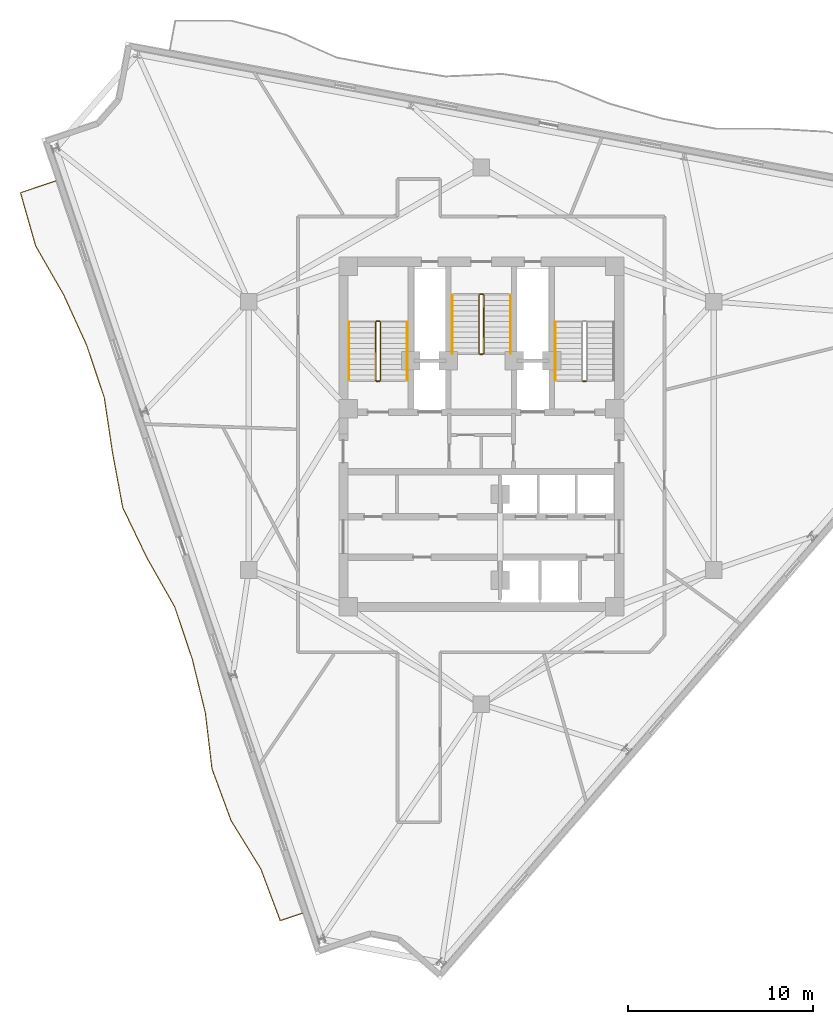
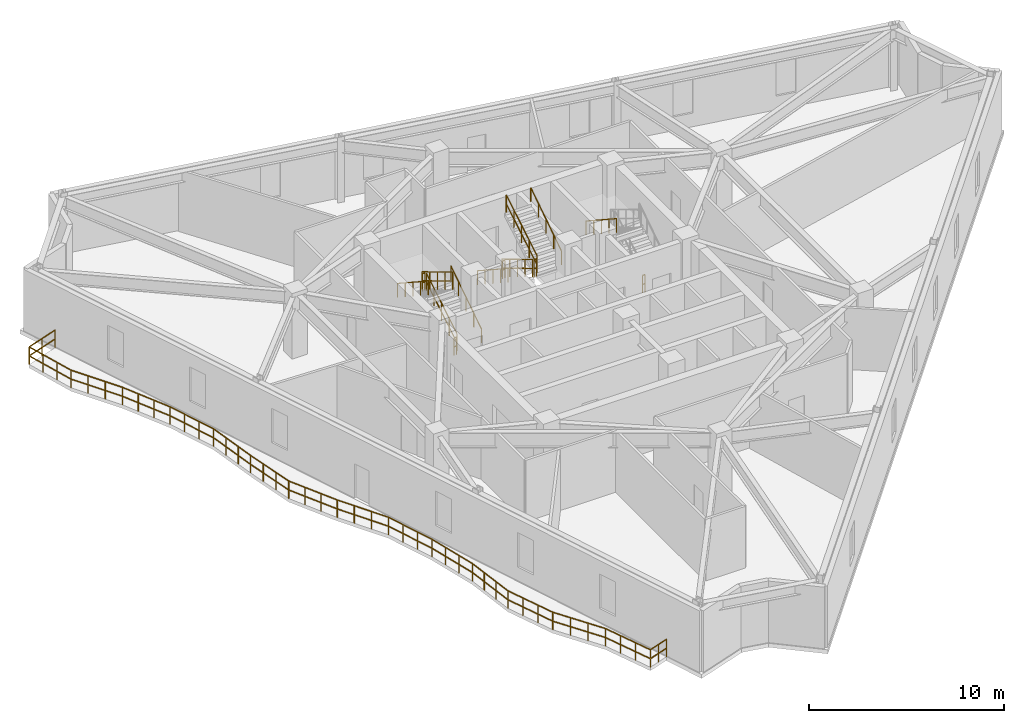
# One storey, part 8 of 9: 15 railings.
"""IFC4 building model written with IfcOpenShell, lengths in metres."""

from ifc_helpers import new_model, si_unit, direction, frame, origin, origin_2d, place, context, subcontext, project, spatial, rectangle, extrude, material, type_object, element, save


model = new_model("IFC4")

# Units and contexts
model_context = context("Model", 3, precision=1e-05, world=origin(), true_north=direction((0.0, 1.0)))
body_context = subcontext(model_context, "Body", "Model", "MODEL_VIEW")
ifc_project = project(units=[si_unit("LENGTHUNIT", "METRE"), si_unit("AREAUNIT", "SQUARE_METRE"), si_unit("VOLUMEUNIT", "CUBIC_METRE"), si_unit("PLANEANGLEUNIT", "RADIAN"), si_unit("MASSUNIT", "GRAM", prefix="KILO")], contexts=[model_context])

# Site, building, storey
site_placement = place(None, origin())
site = spatial("IfcSite", under=ifc_project, at=site_placement, CompositionType="ELEMENT")
building_placement = place(site_placement, origin())
building = spatial("IfcBuilding", under=site, at=building_placement, Name="Apsidion Concourse Tower", CompositionType="ELEMENT")
storey_placement = place(building_placement, frame((0.0, 0.0, 277.800048828125)))
storey = spatial("IfcBuildingStorey", under=building, at=storey_placement, Name="L65", CompositionType="ELEMENT", Elevation=277.800048828125)

# Railings
ifc_material = material(Name="Brushed stainless steel 316", Category="steel")
railing_type_1 = type_object("IfcRailingType", Name="RL-BAL-1120", PredefinedType="BALUSTRADE", material=ifc_material)
railing_1_placement = place(storey_placement, frame((-9.681396484375, -25.806884765625, 0.0)))
element("IfcRailing", 1, at=railing_1_placement, inside=storey, type_object=railing_type_1, Name="L65 Face 1 Rippling Balcony Balustrade", PredefinedType="BALUSTRADE", context=body_context, shape_type="SweptSolid", body=[
    extrude(rectangle(XDim=0.048095703125, YDim=0.048095703125, at=origin_2d()), frame((0.0, 0.0, 1.09619140625), z_axis=(-0.947840118805, -0.318746151636, 0.0), x_axis=(0.318746151636, -0.947840118805, 0.0)), (0.0, 0.0, 1.0), 1.25),
    extrude(rectangle(XDim=0.048095703125, YDim=0.048095703125, at=origin_2d()), frame((0.0, 0.0, 0.5361328125), z_axis=(-0.947840118805, -0.318746151636, 0.0), x_axis=(0.318746151636, -0.947840118805, 0.0)), (0.0, 0.0, 1.0), 1.25),
    extrude(rectangle(XDim=0.048095703125, YDim=0.048095703125, at=origin_2d()), frame((-1.184814453125, -0.3984375, 1.09619140625), z_axis=(-0.351804608509, 0.936073457284, 0.0), x_axis=(-0.936073457284, -0.351804608509, 0.0)), (0.0, 0.0, 1.0), 2.98486328125),
    extrude(rectangle(XDim=0.048095703125, YDim=0.048095703125, at=origin_2d()), frame((-1.184814453125, -0.3984375, 0.5361328125), z_axis=(-0.351804608509, 0.936073457284, 0.0), x_axis=(-0.936073457284, -0.351804608509, 0.0)), (0.0, 0.0, 1.0), 2.98486328125),
    extrude(rectangle(XDim=0.048095703125, YDim=0.048095703125, at=origin_2d()), frame((-2.23486328125, 2.3955078125, 1.09619140625), z_axis=(-0.524462149652, 0.851433763474, 0.0), x_axis=(-0.851433763474, -0.524462149652, 0.0)), (0.0, 0.0, 1.0), 3.06201171875),
    extrude(rectangle(XDim=0.048095703125, YDim=0.048095703125, at=origin_2d()), frame((-2.23486328125, 2.3955078125, 0.5361328125), z_axis=(-0.524462149652, 0.851433763474, 0.0), x_axis=(-0.851433763474, -0.524462149652, 0.0)), (0.0, 0.0, 1.0), 3.06201171875),
    extrude(rectangle(XDim=0.048095703125, YDim=0.048095703125, at=origin_2d()), frame((-3.8408203125, 5.002685546875, 1.09619140625), z_axis=(-0.345989695085, 0.938238312421, 0.0), x_axis=(-0.938238312421, -0.345989695085, 0.0)), (0.0, 0.0, 1.0), 2.984130859375),
    extrude(rectangle(XDim=0.048095703125, YDim=0.048095703125, at=origin_2d()), frame((-3.8408203125, 5.002685546875, 0.5361328125), z_axis=(-0.345989695085, 0.938238312421, 0.0), x_axis=(-0.938238312421, -0.345989695085, 0.0)), (0.0, 0.0, 1.0), 2.984130859375),
    extrude(rectangle(XDim=0.048095703125, YDim=0.048095703125, at=origin_2d()), frame((-4.873291015625, 7.802490234375, 1.09619140625), z_axis=(-0.118156470554, 0.992994989145, 0.0), x_axis=(-0.992994989145, -0.118156470554, 0.0)), (0.0, 0.0, 1.0), 3.047607421875),
    extrude(rectangle(XDim=0.048095703125, YDim=0.048095703125, at=origin_2d()), frame((-4.873291015625, 7.802490234375, 0.5361328125), z_axis=(-0.118156470554, 0.992994989145, 0.0), x_axis=(-0.992994989145, -0.118156470554, 0.0)), (0.0, 0.0, 1.0), 3.047607421875),
    extrude(rectangle(XDim=0.048095703125, YDim=0.048095703125, at=origin_2d()), frame((-5.2333984375, 10.828857421875, 1.09619140625), z_axis=(-0.236409843903, 0.971653428804, 0.0), x_axis=(-0.971653428804, -0.236409843903, 0.0)), (0.0, 0.0, 1.0), 2.993896484375),
    extrude(rectangle(XDim=0.048095703125, YDim=0.048095703125, at=origin_2d()), frame((-5.2333984375, 10.828857421875, 0.5361328125), z_axis=(-0.236409843903, 0.971653428804, 0.0), x_axis=(-0.971653428804, -0.236409843903, 0.0)), (0.0, 0.0, 1.0), 2.993896484375),
    extrude(rectangle(XDim=0.048095703125, YDim=0.048095703125, at=origin_2d()), frame((-5.941162109375, 13.73779296875, 1.09619140625), z_axis=(-0.318927176662, 0.94777922323, 0.0), x_axis=(-0.94777922323, -0.318927176662, 0.0)), (0.0, 0.0, 1.0), 2.983154296875),
    extrude(rectangle(XDim=0.048095703125, YDim=0.048095703125, at=origin_2d()), frame((-5.941162109375, 13.73779296875, 0.5361328125), z_axis=(-0.318927176662, 0.94777922323, 0.0), x_axis=(-0.94777922323, -0.318927176662, 0.0)), (0.0, 0.0, 1.0), 2.983154296875),
    extrude(rectangle(XDim=0.048095703125, YDim=0.048095703125, at=origin_2d()), frame((-6.892578125, 16.565185546875, 1.09619140625), z_axis=(-0.492899029684, 0.870086516696, 0.0), x_axis=(-0.870086516696, -0.492899029684, 0.0)), (0.0, 0.0, 1.0), 3.038330078125),
    extrude(rectangle(XDim=0.048095703125, YDim=0.048095703125, at=origin_2d()), frame((-6.892578125, 16.565185546875, 0.5361328125), z_axis=(-0.492899029684, 0.870086516696, 0.0), x_axis=(-0.870086516696, -0.492899029684, 0.0)), (0.0, 0.0, 1.0), 3.038330078125),
    extrude(rectangle(XDim=0.048095703125, YDim=0.048095703125, at=origin_2d()), frame((-8.39013671875, 19.208740234375, 1.09619140625), z_axis=(-0.434074427996, 0.900877012116, 0.0), x_axis=(-0.900877012116, -0.434074427996, 0.0)), (0.0, 0.0, 1.0), 3.00634765625),
    extrude(rectangle(XDim=0.048095703125, YDim=0.048095703125, at=origin_2d()), frame((-8.39013671875, 19.208740234375, 0.5361328125), z_axis=(-0.434074427996, 0.900877012116, 0.0), x_axis=(-0.900877012116, -0.434074427996, 0.0)), (0.0, 0.0, 1.0), 3.00634765625),
    extrude(rectangle(XDim=0.048095703125, YDim=0.048095703125, at=origin_2d()), frame((-9.695068359375, 21.9169921875, 1.09619140625), z_axis=(-0.183319597636, 0.9830533684, 0.0), x_axis=(-0.9830533684, -0.183319597636, 0.0)), (0.0, 0.0, 1.0), 3.012451171875),
    extrude(rectangle(XDim=0.048095703125, YDim=0.048095703125, at=origin_2d()), frame((-9.695068359375, 21.9169921875, 0.5361328125), z_axis=(-0.183319597636, 0.9830533684, 0.0), x_axis=(-0.9830533684, -0.183319597636, 0.0)), (0.0, 0.0, 1.0), 3.012451171875),
    extrude(rectangle(XDim=0.048095703125, YDim=0.048095703125, at=origin_2d()), frame((-10.247314453125, 24.87841796875, 1.09619140625), z_axis=(-0.148604477152, 0.988896713196, 0.0), x_axis=(-0.988896713196, -0.148604477152, 0.0)), (0.0, 0.0, 1.0), 3.029541015625),
    extrude(rectangle(XDim=0.048095703125, YDim=0.048095703125, at=origin_2d()), frame((-10.247314453125, 24.87841796875, 0.5361328125), z_axis=(-0.148604477152, 0.988896713196, 0.0), x_axis=(-0.988896713196, -0.148604477152, 0.0)), (0.0, 0.0, 1.0), 3.029541015625),
    extrude(rectangle(XDim=0.048095703125, YDim=0.048095703125, at=origin_2d()), frame((-10.697509765625, 27.874267578125, 1.09619140625), z_axis=(-0.318927176662, 0.94777922323, 0.0), x_axis=(-0.94777922323, -0.318927176662, 0.0)), (0.0, 0.0, 1.0), 2.983154296875),
    extrude(rectangle(XDim=0.048095703125, YDim=0.048095703125, at=origin_2d()), frame((-10.697509765625, 27.874267578125, 0.5361328125), z_axis=(-0.318927176662, 0.94777922323, 0.0), x_axis=(-0.94777922323, -0.318927176662, 0.0)), (0.0, 0.0, 1.0), 2.983154296875),
    extrude(rectangle(XDim=0.048095703125, YDim=0.048095703125, at=origin_2d()), frame((-11.64892578125, 30.70166015625, 1.09619140625), z_axis=(-0.414753361247, 0.909933870858, 0.0), x_axis=(-0.909933870858, -0.414753361247, 0.0)), (0.0, 0.0, 1.0), 2.9990234375),
    extrude(rectangle(XDim=0.048095703125, YDim=0.048095703125, at=origin_2d()), frame((-11.64892578125, 30.70166015625, 0.5361328125), z_axis=(-0.414753361247, 0.909933870858, 0.0), x_axis=(-0.909933870858, -0.414753361247, 0.0)), (0.0, 0.0, 1.0), 2.9990234375),
    extrude(rectangle(XDim=0.048095703125, YDim=0.048095703125, at=origin_2d()), frame((-12.892822265625, 33.4306640625, 1.09619140625), z_axis=(-0.497694207819, 0.867352567013, 0.0), x_axis=(-0.867352567013, -0.497694207819, 0.0)), (0.0, 0.0, 1.0), 3.041259765625),
    extrude(rectangle(XDim=0.048095703125, YDim=0.048095703125, at=origin_2d()), frame((-12.892822265625, 33.4306640625, 0.5361328125), z_axis=(-0.497694207819, 0.867352567013, 0.0), x_axis=(-0.867352567013, -0.497694207819, 0.0)), (0.0, 0.0, 1.0), 3.041259765625),
    extrude(rectangle(XDim=0.048095703125, YDim=0.048095703125, at=origin_2d()), frame((-14.406494140625, 36.068603515625, 1.09619140625), z_axis=(-0.27328482644, 0.961933159652, 0.0), x_axis=(-0.961933159652, -0.27328482644, 0.0)), (0.0, 0.0, 1.0), 2.986572265625),
    extrude(rectangle(XDim=0.048095703125, YDim=0.048095703125, at=origin_2d()), frame((-14.406494140625, 36.068603515625, 0.5361328125), z_axis=(-0.27328482644, 0.961933159652, 0.0), x_axis=(-0.961933159652, -0.27328482644, 0.0)), (0.0, 0.0, 1.0), 2.986572265625),
    extrude(rectangle(XDim=0.048095703125, YDim=0.048095703125, at=origin_2d()), frame((-15.22265625, 38.94140625, 1.09619140625), z_axis=(0.947780402873, 0.318923671009, 0.0), x_axis=(-0.318923671009, 0.947780402873, 0.0)), (0.0, 0.0, 1.0), 2.009521484375),
    extrude(rectangle(XDim=0.048095703125, YDim=0.048095703125, at=origin_2d()), frame((-15.22265625, 38.94140625, 0.5361328125), z_axis=(0.947780402873, 0.318923671009, 0.0), x_axis=(-0.318923671009, 0.947780402873, 0.0)), (0.0, 0.0, 1.0), 2.009521484375),
    extrude(rectangle(XDim=0.0419921875, YDim=0.0419921875, at=origin_2d()), origin(), (0.0, 0.0, 1.0), 1.072021484375),
    extrude(rectangle(XDim=0.0419921875, YDim=0.0419921875, at=origin_2d()), frame((-0.59228515625, -0.19921875, 0.0)), (0.0, 0.0, 1.0), 1.072021484375),
    extrude(rectangle(XDim=0.0419921875, YDim=0.0419921875, at=origin_2d()), frame((-1.184814453125, -0.3984375, 0.0)), (0.0, 0.0, 1.0), 1.072021484375),
    extrude(rectangle(XDim=0.0419921875, YDim=0.0419921875, at=origin_2d()), frame((-1.534912109375, 0.532958984375, 0.0)), (0.0, 0.0, 1.0), 1.072021484375),
    extrude(rectangle(XDim=0.0419921875, YDim=0.0419921875, at=origin_2d()), frame((-1.884765625, 1.464111328125, 0.0)), (0.0, 0.0, 1.0), 1.072021484375),
    extrude(rectangle(XDim=0.0419921875, YDim=0.0419921875, at=origin_2d()), frame((-2.23486328125, 2.3955078125, 0.0)), (0.0, 0.0, 1.0), 1.072021484375),
    extrude(rectangle(XDim=0.0419921875, YDim=0.0419921875, at=origin_2d()), frame((-2.770263671875, 3.2646484375, 0.0)), (0.0, 0.0, 1.0), 1.072021484375),
    extrude(rectangle(XDim=0.0419921875, YDim=0.0419921875, at=origin_2d()), frame((-3.305419921875, 4.133544921875, 0.0)), (0.0, 0.0, 1.0), 1.072021484375),
    extrude(rectangle(XDim=0.0419921875, YDim=0.0419921875, at=origin_2d()), frame((-3.8408203125, 5.002685546875, 0.0)), (0.0, 0.0, 1.0), 1.072021484375),
    extrude(rectangle(XDim=0.0419921875, YDim=0.0419921875, at=origin_2d()), frame((-4.18505859375, 5.93603515625, 0.0)), (0.0, 0.0, 1.0), 1.072021484375),
    extrude(rectangle(XDim=0.0419921875, YDim=0.0419921875, at=origin_2d()), frame((-4.529052734375, 6.869140625, 0.0)), (0.0, 0.0, 1.0), 1.072021484375),
    extrude(rectangle(XDim=0.0419921875, YDim=0.0419921875, at=origin_2d()), frame((-4.873291015625, 7.802490234375, 0.0)), (0.0, 0.0, 1.0), 1.072021484375),
    extrude(rectangle(XDim=0.0419921875, YDim=0.0419921875, at=origin_2d()), frame((-4.993408203125, 8.811279296875, 0.0)), (0.0, 0.0, 1.0), 1.072021484375),
    extrude(rectangle(XDim=0.0419921875, YDim=0.0419921875, at=origin_2d()), frame((-5.11328125, 9.820068359375, 0.0)), (0.0, 0.0, 1.0), 1.072021484375),
    extrude(rectangle(XDim=0.0419921875, YDim=0.0419921875, at=origin_2d()), frame((-5.2333984375, 10.828857421875, 0.0)), (0.0, 0.0, 1.0), 1.072021484375),
    extrude(rectangle(XDim=0.0419921875, YDim=0.0419921875, at=origin_2d()), frame((-5.46923828125, 11.798583984375, 0.0)), (0.0, 0.0, 1.0), 1.072021484375),
    extrude(rectangle(XDim=0.0419921875, YDim=0.0419921875, at=origin_2d()), frame((-5.705322265625, 12.76806640625, 0.0)), (0.0, 0.0, 1.0), 1.072021484375),
    extrude(rectangle(XDim=0.0419921875, YDim=0.0419921875, at=origin_2d()), frame((-5.941162109375, 13.73779296875, 0.0)), (0.0, 0.0, 1.0), 1.072021484375),
    extrude(rectangle(XDim=0.0419921875, YDim=0.0419921875, at=origin_2d()), frame((-6.25830078125, 14.68017578125, 0.0)), (0.0, 0.0, 1.0), 1.072021484375),
    extrude(rectangle(XDim=0.0419921875, YDim=0.0419921875, at=origin_2d()), frame((-6.575439453125, 15.622802734375, 0.0)), (0.0, 0.0, 1.0), 1.072021484375),
    extrude(rectangle(XDim=0.0419921875, YDim=0.0419921875, at=origin_2d()), frame((-6.892578125, 16.565185546875, 0.0)), (0.0, 0.0, 1.0), 1.072021484375),
    extrude(rectangle(XDim=0.0419921875, YDim=0.0419921875, at=origin_2d()), frame((-7.391845703125, 17.4462890625, 0.0)), (0.0, 0.0, 1.0), 1.072021484375),
    extrude(rectangle(XDim=0.0419921875, YDim=0.0419921875, at=origin_2d()), frame((-7.890869140625, 18.32763671875, 0.0)), (0.0, 0.0, 1.0), 1.072021484375),
    extrude(rectangle(XDim=0.0419921875, YDim=0.0419921875, at=origin_2d()), frame((-8.39013671875, 19.208740234375, 0.0)), (0.0, 0.0, 1.0), 1.072021484375),
    extrude(rectangle(XDim=0.0419921875, YDim=0.0419921875, at=origin_2d()), frame((-8.8251953125, 20.111572265625, 0.0)), (0.0, 0.0, 1.0), 1.072021484375),
    extrude(rectangle(XDim=0.0419921875, YDim=0.0419921875, at=origin_2d()), frame((-9.260009765625, 21.01416015625, 0.0)), (0.0, 0.0, 1.0), 1.072021484375),
    extrude(rectangle(XDim=0.0419921875, YDim=0.0419921875, at=origin_2d()), frame((-9.695068359375, 21.9169921875, 0.0)), (0.0, 0.0, 1.0), 1.072021484375),
    extrude(rectangle(XDim=0.0419921875, YDim=0.0419921875, at=origin_2d()), frame((-9.879150390625, 22.904052734375, 0.0)), (0.0, 0.0, 1.0), 1.072021484375),
    extrude(rectangle(XDim=0.0419921875, YDim=0.0419921875, at=origin_2d()), frame((-10.063232421875, 23.891357421875, 0.0)), (0.0, 0.0, 1.0), 1.072021484375),
    extrude(rectangle(XDim=0.0419921875, YDim=0.0419921875, at=origin_2d()), frame((-10.247314453125, 24.87841796875, 0.0)), (0.0, 0.0, 1.0), 1.072021484375),
    extrude(rectangle(XDim=0.0419921875, YDim=0.0419921875, at=origin_2d()), frame((-10.3974609375, 25.876953125, 0.0)), (0.0, 0.0, 1.0), 1.072021484375),
    extrude(rectangle(XDim=0.0419921875, YDim=0.0419921875, at=origin_2d()), frame((-10.54736328125, 26.875732421875, 0.0)), (0.0, 0.0, 1.0), 1.072021484375),
    extrude(rectangle(XDim=0.0419921875, YDim=0.0419921875, at=origin_2d()), frame((-10.697509765625, 27.874267578125, 0.0)), (0.0, 0.0, 1.0), 1.072021484375),
    extrude(rectangle(XDim=0.0419921875, YDim=0.0419921875, at=origin_2d()), frame((-11.0146484375, 28.816650390625, 0.0)), (0.0, 0.0, 1.0), 1.072021484375),
    extrude(rectangle(XDim=0.0419921875, YDim=0.0419921875, at=origin_2d()), frame((-11.331787109375, 29.75927734375, 0.0)), (0.0, 0.0, 1.0), 1.072021484375),
    extrude(rectangle(XDim=0.0419921875, YDim=0.0419921875, at=origin_2d()), frame((-11.64892578125, 30.70166015625, 0.0)), (0.0, 0.0, 1.0), 1.072021484375),
    extrude(rectangle(XDim=0.0419921875, YDim=0.0419921875, at=origin_2d()), frame((-12.0634765625, 31.611328125, 0.0)), (0.0, 0.0, 1.0), 1.072021484375),
    extrude(rectangle(XDim=0.0419921875, YDim=0.0419921875, at=origin_2d()), frame((-12.478271484375, 32.52099609375, 0.0)), (0.0, 0.0, 1.0), 1.072021484375),
    extrude(rectangle(XDim=0.0419921875, YDim=0.0419921875, at=origin_2d()), frame((-12.892822265625, 33.4306640625, 0.0)), (0.0, 0.0, 1.0), 1.072021484375),
    extrude(rectangle(XDim=0.0419921875, YDim=0.0419921875, at=origin_2d()), frame((-13.3974609375, 34.31005859375, 0.0)), (0.0, 0.0, 1.0), 1.072021484375),
    extrude(rectangle(XDim=0.0419921875, YDim=0.0419921875, at=origin_2d()), frame((-13.90185546875, 35.189208984375, 0.0)), (0.0, 0.0, 1.0), 1.072021484375),
    extrude(rectangle(XDim=0.0419921875, YDim=0.0419921875, at=origin_2d()), frame((-14.406494140625, 36.068603515625, 0.0)), (0.0, 0.0, 1.0), 1.072021484375),
    extrude(rectangle(XDim=0.0419921875, YDim=0.0419921875, at=origin_2d()), frame((-14.678466796875, 37.026123046875, 0.0)), (0.0, 0.0, 1.0), 1.072021484375),
    extrude(rectangle(XDim=0.0419921875, YDim=0.0419921875, at=origin_2d()), frame((-14.95068359375, 37.98388671875, 0.0)), (0.0, 0.0, 1.0), 1.072021484375),
    extrude(rectangle(XDim=0.0419921875, YDim=0.0419921875, at=origin_2d()), frame((-15.22265625, 38.94140625, 0.0)), (0.0, 0.0, 1.0), 1.072021484375),
    extrude(rectangle(XDim=0.0419921875, YDim=0.0419921875, at=origin_2d()), frame((-14.2705078125, 39.26171875, 0.0)), (0.0, 0.0, 1.0), 1.072021484375),
    extrude(rectangle(XDim=0.0419921875, YDim=0.0419921875, at=origin_2d()), frame((-13.318115234375, 39.582275390625, 0.0)), (0.0, 0.0, 1.0), 1.072021484375),
])
railing_type_2 = type_object("IfcRailingType", Name="RL-GUARD-1100", PredefinedType="GUARDRAIL", material=ifc_material)
railing_2_placement = place(storey_placement, frame((-5.449951171875, 3.0, 0.1708984375)))
element("IfcRailing", 2, at=railing_2_placement, inside=storey, type_object=railing_type_2, Name="L65 ST1 stair guard 1", PredefinedType="GUARDRAIL", context=body_context, shape_type="SweptSolid", body=[
    extrude(rectangle(XDim=0.048095703125, YDim=0.048095703125, at=origin_2d()), frame((0.0, 0.0, 1.09619140625), z_axis=(0.0, 0.857716804754, 0.514122439544), x_axis=(-1.0, 0.0, 0.0)), (0.0, 0.0, 1.0), 3.655029296875),
    extrude(rectangle(XDim=0.048095703125, YDim=0.048095703125, at=origin_2d()), frame((0.0, 0.0, 0.5361328125), z_axis=(0.0, 0.857716804754, 0.514122439544), x_axis=(-1.0, 0.0, 0.0)), (0.0, 0.0, 1.0), 3.655029296875),
    extrude(rectangle(XDim=0.0419921875, YDim=0.0419921875, at=origin_2d()), origin(), (0.0, 0.0, 1.0), 1.072021484375),
    extrude(rectangle(XDim=0.0419921875, YDim=0.0419921875, at=origin_2d()), frame((0.0, 0.78369140625, 0.4697265625)), (0.0, 0.0, 1.0), 1.072021484375),
    extrude(rectangle(XDim=0.0419921875, YDim=0.0419921875, at=origin_2d()), frame((0.0, 1.5673828125, 0.939453125)), (0.0, 0.0, 1.0), 1.072021484375),
    extrude(rectangle(XDim=0.0419921875, YDim=0.0419921875, at=origin_2d()), frame((0.0, 2.351318359375, 1.409423828125)), (0.0, 0.0, 1.0), 1.072021484375),
    extrude(rectangle(XDim=0.0419921875, YDim=0.0419921875, at=origin_2d()), frame((0.0, 3.135009765625, 1.879150390625)), (0.0, 0.0, 1.0), 1.072021484375),
])
railing_3_placement = place(storey_placement, frame((-5.5, 6.18505859375, 2.050048828125)))
element("IfcRailing", 3, at=railing_3_placement, inside=storey, type_object=railing_type_2, Name="L65 ST1 stair guard 2", PredefinedType="GUARDRAIL", context=body_context, shape_type="SweptSolid", body=[
    extrude(rectangle(XDim=0.048095703125, YDim=0.048095703125, at=origin_2d()), frame((0.0, 0.0, 1.09619140625), z_axis=(-1.0, 0.0, 0.0), x_axis=(0.0, -1.0, 0.0)), (0.0, 0.0, 1.0), 0.14990234375),
    extrude(rectangle(XDim=0.048095703125, YDim=0.048095703125, at=origin_2d()), frame((0.0, 0.0, 0.5361328125), z_axis=(-1.0, 0.0, 0.0), x_axis=(0.0, -1.0, 0.0)), (0.0, 0.0, 1.0), 0.14990234375),
    extrude(rectangle(XDim=0.0419921875, YDim=0.0419921875, at=origin_2d()), origin(), (0.0, 0.0, 1.0), 1.072021484375),
    extrude(rectangle(XDim=0.0419921875, YDim=0.0419921875, at=origin_2d()), frame((-0.14990234375, 0.0, 0.0)), (0.0, 0.0, 1.0), 1.072021484375),
])
railing_4_placement = place(storey_placement, frame((-5.699951171875, 6.135009765625, 2.220703125)))
element("IfcRailing", 4, at=railing_4_placement, inside=storey, type_object=railing_type_2, Name="L65 ST1 stair guard 3", PredefinedType="GUARDRAIL", context=body_context, shape_type="SweptSolid", body=[
    extrude(rectangle(XDim=0.048095703125, YDim=0.048095703125, at=origin_2d()), frame((0.0, 0.0, 1.09619140625), z_axis=(0.0, -0.857716804754, 0.514122439544), x_axis=(1.0, 0.0, 0.0)), (0.0, 0.0, 1.0), 3.655029296875),
    extrude(rectangle(XDim=0.048095703125, YDim=0.048095703125, at=origin_2d()), frame((0.0, 0.0, 0.5361328125), z_axis=(0.0, -0.857716804754, 0.514122439544), x_axis=(1.0, 0.0, 0.0)), (0.0, 0.0, 1.0), 3.655029296875),
    extrude(rectangle(XDim=0.0419921875, YDim=0.0419921875, at=origin_2d()), origin(), (0.0, 0.0, 1.0), 1.072021484375),
    extrude(rectangle(XDim=0.0419921875, YDim=0.0419921875, at=origin_2d()), frame((0.0, -0.78369140625, 0.4697265625)), (0.0, 0.0, 1.0), 1.072021484375),
    extrude(rectangle(XDim=0.0419921875, YDim=0.0419921875, at=origin_2d()), frame((0.0, -1.5673828125, 0.939453125)), (0.0, 0.0, 1.0), 1.072021484375),
    extrude(rectangle(XDim=0.0419921875, YDim=0.0419921875, at=origin_2d()), frame((0.0, -2.351318359375, 1.409423828125)), (0.0, 0.0, 1.0), 1.072021484375),
    extrude(rectangle(XDim=0.0419921875, YDim=0.0419921875, at=origin_2d()), frame((0.0, -3.135009765625, 1.879150390625)), (0.0, 0.0, 1.0), 1.072021484375),
])
for number, where, name in (
    (5, (-5.5, 2.949951171875, 0.0), "L65 ST1 stair guard 4"),
    (6, (5.64990234375, 2.949951171875, 0.0), "L65 ST2 stair guard 4"),
):
    element("IfcRailing", number, at=place(storey_placement, frame(where)), inside=storey, type_object=railing_type_2, Name=name, PredefinedType="GUARDRAIL", context=body_context, shape_type="SweptSolid", body=[
        extrude(rectangle(XDim=0.048095703125, YDim=0.048095703125, at=origin_2d()), frame((0.0, 0.0, 1.09619140625), z_axis=(-1.0, 0.0, 0.0), x_axis=(0.0, -1.0, 0.0)), (0.0, 0.0, 1.0), 0.14990234375),
        extrude(rectangle(XDim=0.048095703125, YDim=0.048095703125, at=origin_2d()), frame((0.0, 0.0, 0.5361328125), z_axis=(-1.0, 0.0, 0.0), x_axis=(0.0, -1.0, 0.0)), (0.0, 0.0, 1.0), 0.14990234375),
        extrude(rectangle(XDim=0.0419921875, YDim=0.0419921875, at=origin_2d()), origin(), (0.0, 0.0, 1.0), 1.072021484375),
        extrude(rectangle(XDim=0.0419921875, YDim=0.0419921875, at=origin_2d()), frame((-0.14990234375, 0.0, 0.0)), (0.0, 0.0, 1.0), 1.072021484375),
    ])
railing_5_placement = place(storey_placement, frame((-0.125, 7.60009765625, 0.1708984375)))
element("IfcRailing", 7, at=railing_5_placement, inside=storey, type_object=railing_type_2, Name="L65 ST3 stair guard 1", PredefinedType="GUARDRAIL", context=body_context, shape_type="SweptSolid", body=[
    extrude(rectangle(XDim=0.048095703125, YDim=0.048095703125, at=origin_2d()), frame((0.0, 0.0, 1.09619140625), z_axis=(0.0, -0.857716804754, 0.514122439544), x_axis=(1.0, 0.0, 0.0)), (0.0, 0.0, 1.0), 3.655029296875),
    extrude(rectangle(XDim=0.048095703125, YDim=0.048095703125, at=origin_2d()), frame((0.0, 0.0, 0.5361328125), z_axis=(0.0, -0.857716804754, 0.514122439544), x_axis=(1.0, 0.0, 0.0)), (0.0, 0.0, 1.0), 3.655029296875),
    extrude(rectangle(XDim=0.0419921875, YDim=0.0419921875, at=origin_2d()), origin(), (0.0, 0.0, 1.0), 1.072021484375),
    extrude(rectangle(XDim=0.0419921875, YDim=0.0419921875, at=origin_2d()), frame((0.0, -0.78369140625, 0.4697265625)), (0.0, 0.0, 1.0), 1.072021484375),
    extrude(rectangle(XDim=0.0419921875, YDim=0.0419921875, at=origin_2d()), frame((0.0, -1.5673828125, 0.939453125)), (0.0, 0.0, 1.0), 1.072021484375),
    extrude(rectangle(XDim=0.0419921875, YDim=0.0419921875, at=origin_2d()), frame((0.0, -2.351318359375, 1.409423828125)), (0.0, 0.0, 1.0), 1.072021484375),
    extrude(rectangle(XDim=0.0419921875, YDim=0.0419921875, at=origin_2d()), frame((0.0, -3.135009765625, 1.879150390625)), (0.0, 0.0, 1.0), 1.072021484375),
])
railing_6_placement = place(storey_placement, frame((-0.074951171875, 4.4150390625, 2.050048828125)))
element("IfcRailing", 8, at=railing_6_placement, inside=storey, type_object=railing_type_2, Name="L65 ST3 stair guard 2", PredefinedType="GUARDRAIL", context=body_context, shape_type="SweptSolid", body=[
    extrude(rectangle(XDim=0.048095703125, YDim=0.048095703125, at=origin_2d()), frame((0.0, 0.0, 1.09619140625), z_axis=(1.0, 0.0, 0.0), x_axis=(0.0, 1.0, 0.0)), (0.0, 0.0, 1.0), 0.14990234375),
    extrude(rectangle(XDim=0.048095703125, YDim=0.048095703125, at=origin_2d()), frame((0.0, 0.0, 0.5361328125), z_axis=(1.0, 0.0, 0.0), x_axis=(0.0, 1.0, 0.0)), (0.0, 0.0, 1.0), 0.14990234375),
    extrude(rectangle(XDim=0.0419921875, YDim=0.0419921875, at=origin_2d()), origin(), (0.0, 0.0, 1.0), 1.072021484375),
    extrude(rectangle(XDim=0.0419921875, YDim=0.0419921875, at=origin_2d()), frame((0.14990234375, 0.0, 0.0)), (0.0, 0.0, 1.0), 1.072021484375),
])
railing_7_placement = place(storey_placement, frame((0.125, 4.465087890625, 2.220703125)))
element("IfcRailing", 9, at=railing_7_placement, inside=storey, type_object=railing_type_2, Name="L65 ST3 stair guard 3", PredefinedType="GUARDRAIL", context=body_context, shape_type="SweptSolid", body=[
    extrude(rectangle(XDim=0.048095703125, YDim=0.048095703125, at=origin_2d()), frame((0.0, 0.0, 1.09619140625), z_axis=(0.0, 0.857716804754, 0.514122439544), x_axis=(-1.0, 0.0, 0.0)), (0.0, 0.0, 1.0), 3.655029296875),
    extrude(rectangle(XDim=0.048095703125, YDim=0.048095703125, at=origin_2d()), frame((0.0, 0.0, 0.5361328125), z_axis=(0.0, 0.857716804754, 0.514122439544), x_axis=(-1.0, 0.0, 0.0)), (0.0, 0.0, 1.0), 3.655029296875),
    extrude(rectangle(XDim=0.0419921875, YDim=0.0419921875, at=origin_2d()), origin(), (0.0, 0.0, 1.0), 1.072021484375),
    extrude(rectangle(XDim=0.0419921875, YDim=0.0419921875, at=origin_2d()), frame((0.0, 0.78369140625, 0.4697265625)), (0.0, 0.0, 1.0), 1.072021484375),
    extrude(rectangle(XDim=0.0419921875, YDim=0.0419921875, at=origin_2d()), frame((0.0, 1.5673828125, 0.939453125)), (0.0, 0.0, 1.0), 1.072021484375),
    extrude(rectangle(XDim=0.0419921875, YDim=0.0419921875, at=origin_2d()), frame((0.0, 2.351318359375, 1.409423828125)), (0.0, 0.0, 1.0), 1.072021484375),
    extrude(rectangle(XDim=0.0419921875, YDim=0.0419921875, at=origin_2d()), frame((0.0, 3.135009765625, 1.879150390625)), (0.0, 0.0, 1.0), 1.072021484375),
])
railing_8_placement = place(storey_placement, frame((-0.074951171875, 7.64990234375, 0.0)))
element("IfcRailing", 10, at=railing_8_placement, inside=storey, type_object=railing_type_2, Name="L65 ST3 stair guard 4", PredefinedType="GUARDRAIL", context=body_context, shape_type="SweptSolid", body=[
    extrude(rectangle(XDim=0.048095703125, YDim=0.048095703125, at=origin_2d()), frame((0.0, 0.0, 1.09619140625), z_axis=(1.0, 0.0, 0.0), x_axis=(0.0, 1.0, 0.0)), (0.0, 0.0, 1.0), 0.14990234375),
    extrude(rectangle(XDim=0.048095703125, YDim=0.048095703125, at=origin_2d()), frame((0.0, 0.0, 0.5361328125), z_axis=(1.0, 0.0, 0.0), x_axis=(0.0, 1.0, 0.0)), (0.0, 0.0, 1.0), 0.14990234375),
    extrude(rectangle(XDim=0.0419921875, YDim=0.0419921875, at=origin_2d()), origin(), (0.0, 0.0, 1.0), 1.072021484375),
    extrude(rectangle(XDim=0.0419921875, YDim=0.0419921875, at=origin_2d()), frame((0.14990234375, 0.0, 0.0)), (0.0, 0.0, 1.0), 1.072021484375),
])
railing_type_3 = type_object("IfcRailingType", Name="RL-HAND-900", PredefinedType="HANDRAIL", material=ifc_material)
railing_9_placement = place(storey_placement, frame((-4.0, 3.0, 0.1708984375)))
element("IfcRailing", 11, at=railing_9_placement, inside=storey, type_object=railing_type_3, Name="L65 ST1 stair handrail 1", PredefinedType="HANDRAIL", context=body_context, shape_type="SweptSolid", body=[
    extrude(rectangle(XDim=0.048095703125, YDim=0.048095703125, at=origin_2d()), frame((0.0, 0.0, 0.8759765625), z_axis=(0.0, 0.836970762213, 0.547247606848), x_axis=(-1.0, 0.0, 0.0)), (0.0, 0.0, 1.0), 3.74560546875),
    extrude(rectangle(XDim=0.0419921875, YDim=0.0419921875, at=origin_2d()), origin(), (0.0, 0.0, 1.0), 0.851806640625),
    extrude(rectangle(XDim=0.0419921875, YDim=0.0419921875, at=origin_2d()), frame((0.0, 0.78369140625, 0.512451171875)), (0.0, 0.0, 1.0), 0.851806640625),
    extrude(rectangle(XDim=0.0419921875, YDim=0.0419921875, at=origin_2d()), frame((0.0, 1.5673828125, 1.02490234375)), (0.0, 0.0, 1.0), 0.851806640625),
    extrude(rectangle(XDim=0.0419921875, YDim=0.0419921875, at=origin_2d()), frame((0.0, 2.351318359375, 1.537353515625)), (0.0, 0.0, 1.0), 0.851806640625),
    extrude(rectangle(XDim=0.0419921875, YDim=0.0419921875, at=origin_2d()), frame((0.0, 3.135009765625, 2.0498046875)), (0.0, 0.0, 1.0), 0.851806640625),
])
for number, where, name in (
    (12, (-7.14990234375, 6.135009765625, 2.220703125), "L65 ST1 stair handrail 2"),
    (13, (4.0, 6.135009765625, 2.220703125), "L65 ST2 stair handrail 2"),
):
    element("IfcRailing", number, at=place(storey_placement, frame(where)), inside=storey, type_object=railing_type_3, Name=name, PredefinedType="HANDRAIL", context=body_context, shape_type="SweptSolid", body=[
        extrude(rectangle(XDim=0.048095703125, YDim=0.048095703125, at=origin_2d()), frame((0.0, 0.0, 0.8759765625), z_axis=(0.0, -0.836940907821, 0.547293263996), x_axis=(1.0, 0.0, 0.0)), (0.0, 0.0, 1.0), 3.745849609375),
        extrude(rectangle(XDim=0.0419921875, YDim=0.0419921875, at=origin_2d()), origin(), (0.0, 0.0, 1.0), 0.851806640625),
        extrude(rectangle(XDim=0.0419921875, YDim=0.0419921875, at=origin_2d()), frame((0.0, -0.78369140625, 0.512451171875)), (0.0, 0.0, 1.0), 0.851806640625),
        extrude(rectangle(XDim=0.0419921875, YDim=0.0419921875, at=origin_2d()), frame((0.0, -1.5673828125, 1.02490234375)), (0.0, 0.0, 1.0), 0.851806640625),
        extrude(rectangle(XDim=0.0419921875, YDim=0.0419921875, at=origin_2d()), frame((0.0, -2.351318359375, 1.53759765625)), (0.0, 0.0, 1.0), 0.851806640625),
        extrude(rectangle(XDim=0.0419921875, YDim=0.0419921875, at=origin_2d()), frame((0.0, -3.135009765625, 2.050048828125)), (0.0, 0.0, 1.0), 0.851806640625),
    ])
railing_10_placement = place(storey_placement, frame((-1.574951171875, 7.60009765625, 0.1708984375)))
element("IfcRailing", 14, at=railing_10_placement, inside=storey, type_object=railing_type_3, Name="L65 ST3 stair handrail 1", PredefinedType="HANDRAIL", context=body_context, shape_type="SweptSolid", body=[
    extrude(rectangle(XDim=0.048095703125, YDim=0.048095703125, at=origin_2d()), frame((0.0, 0.0, 0.8759765625), z_axis=(0.0, -0.836970762213, 0.547247606848), x_axis=(1.0, 0.0, 0.0)), (0.0, 0.0, 1.0), 3.74560546875),
    extrude(rectangle(XDim=0.0419921875, YDim=0.0419921875, at=origin_2d()), origin(), (0.0, 0.0, 1.0), 0.851806640625),
    extrude(rectangle(XDim=0.0419921875, YDim=0.0419921875, at=origin_2d()), frame((0.0, -0.78369140625, 0.512451171875)), (0.0, 0.0, 1.0), 0.851806640625),
    extrude(rectangle(XDim=0.0419921875, YDim=0.0419921875, at=origin_2d()), frame((0.0, -1.5673828125, 1.02490234375)), (0.0, 0.0, 1.0), 0.851806640625),
    extrude(rectangle(XDim=0.0419921875, YDim=0.0419921875, at=origin_2d()), frame((0.0, -2.351318359375, 1.537353515625)), (0.0, 0.0, 1.0), 0.851806640625),
    extrude(rectangle(XDim=0.0419921875, YDim=0.0419921875, at=origin_2d()), frame((0.0, -3.135009765625, 2.0498046875)), (0.0, 0.0, 1.0), 0.851806640625),
])
railing_11_placement = place(storey_placement, frame((1.574951171875, 4.465087890625, 2.220703125)))
element("IfcRailing", 15, at=railing_11_placement, inside=storey, type_object=railing_type_3, Name="L65 ST3 stair handrail 2", PredefinedType="HANDRAIL", context=body_context, shape_type="SweptSolid", body=[
    extrude(rectangle(XDim=0.048095703125, YDim=0.048095703125, at=origin_2d()), frame((0.0, 0.0, 0.8759765625), z_axis=(0.0, 0.836940907821, 0.547293263996), x_axis=(-1.0, 0.0, 0.0)), (0.0, 0.0, 1.0), 3.745849609375),
    extrude(rectangle(XDim=0.0419921875, YDim=0.0419921875, at=origin_2d()), origin(), (0.0, 0.0, 1.0), 0.851806640625),
    extrude(rectangle(XDim=0.0419921875, YDim=0.0419921875, at=origin_2d()), frame((0.0, 0.78369140625, 0.512451171875)), (0.0, 0.0, 1.0), 0.851806640625),
    extrude(rectangle(XDim=0.0419921875, YDim=0.0419921875, at=origin_2d()), frame((0.0, 1.5673828125, 1.02490234375)), (0.0, 0.0, 1.0), 0.851806640625),
    extrude(rectangle(XDim=0.0419921875, YDim=0.0419921875, at=origin_2d()), frame((0.0, 2.351318359375, 1.53759765625)), (0.0, 0.0, 1.0), 0.851806640625),
    extrude(rectangle(XDim=0.0419921875, YDim=0.0419921875, at=origin_2d()), frame((0.0, 3.135009765625, 2.050048828125)), (0.0, 0.0, 1.0), 0.851806640625),
])

save(model, "model.ifc")
